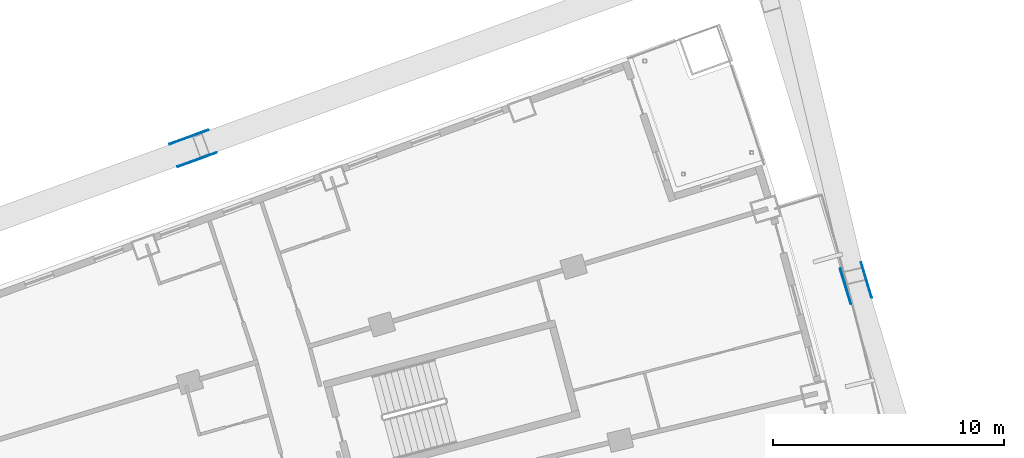
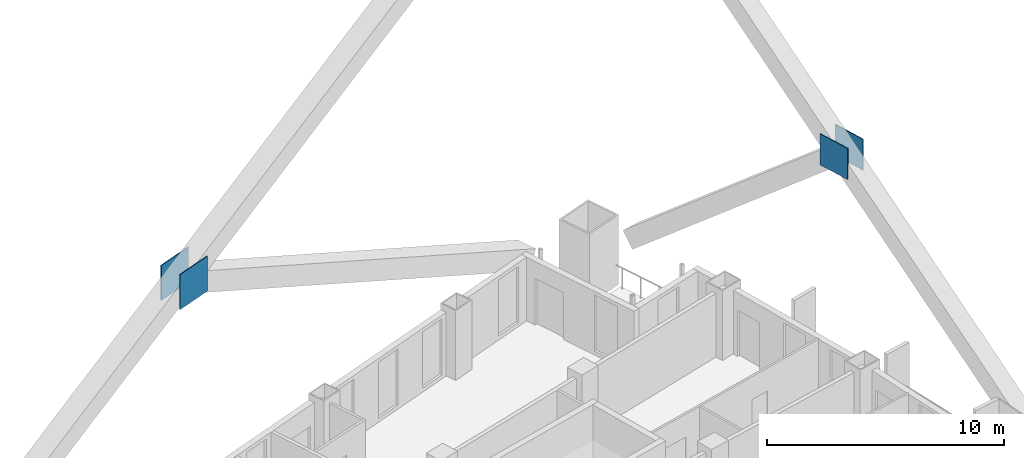
# One storey, part 23 of 26: 4 discrete accessories.
"""IFC4 building model written with IfcOpenShell, lengths in metres."""

from ifc_helpers import new_model, si_unit, direction, frame, origin, origin_2d, place, context, subcontext, project, spatial, rectangle, extrude, material, material_profile, profile_set, type_object, element, save


model = new_model("IFC4")

# Units and contexts
model_context = context("Model", 3, precision=1e-05, world=origin(), true_north=direction((0.0, 1.0)))
body_context = subcontext(model_context, "Body", "Model", "MODEL_VIEW")
ifc_project = project(units=[si_unit("LENGTHUNIT", "METRE"), si_unit("AREAUNIT", "SQUARE_METRE"), si_unit("VOLUMEUNIT", "CUBIC_METRE"), si_unit("PLANEANGLEUNIT", "RADIAN"), si_unit("MASSUNIT", "GRAM", prefix="KILO")], contexts=[model_context])

# Site, building, storey
site_placement = place(None, origin())
site = spatial("IfcSite", under=ifc_project, at=site_placement, CompositionType="ELEMENT")
building_placement = place(site_placement, origin())
building = spatial("IfcBuilding", under=site, at=building_placement, Name="Alderwake Tower", CompositionType="ELEMENT")
storey_placement = place(building_placement, frame((0.0, 0.0, 82.39990234375)))
storey = spatial("IfcBuildingStorey", under=building, at=storey_placement, Name="L19", CompositionType="ELEMENT", Elevation=82.39990234375)

# Discrete accessories
ifc_material_1 = material(Name="Steel ASTM A572 Grade 50", Category="steel")
ifc_material_profile_1 = material_profile(ifc_material_1, rectangle(XDim=1.60009765625, YDim=1.60009765625, at=origin_2d()), Name="gusset 1600X1600")
ifc_profile_set_1 = profile_set([ifc_material_profile_1], Name="Steel ASTM A572 Grade 50")
discrete_accessory_type_1 = type_object("IfcDiscreteAccessoryType", Name="Gusset plate 1600X1600X40", PredefinedType="USERDEFINED", material=ifc_profile_set_1)
for number, where, z_axis, x_axis, name in (
    (1, (60.153076171875, 98.710205078125, 10.800048828125), (0.95799406309, 0.286788031626, 0.0), (-0.286788031626, 0.95799406309, 0.0), "Gusset plate BRF2.1.10B outer"),
    (2, (59.291748046875, 98.449462890625, 10.800048828125), (-0.956304273979, -0.292373281217, 0.0), (0.292373281217, -0.956304273979, 0.0), "Gusset plate BRF2.1.10B inner"),
):
    element("IfcDiscreteAccessory", number, at=place(storey_placement, frame(where, z_axis=z_axis, x_axis=x_axis)), inside=storey, type_object=discrete_accessory_type_1, Name=name, ObjectType="GUSSET PLATE", PredefinedType="USERDEFINED", context=body_context, shape_type="SweptSolid", body=[
        extrude(rectangle(XDim=1.60009765625, YDim=1.60009765625, at=origin_2d()), origin(), (0.0, 0.0, 1.0), 0.0400390625),
    ])
ifc_material_2 = material(Name="Steel ASTM A572 Grade 50", Category="steel")
ifc_material_profile_2 = material_profile(ifc_material_2, rectangle(XDim=1.800048828125, YDim=1.800048828125, at=origin_2d()), Name="gusset 1800X1800")
ifc_profile_set_2 = profile_set([ifc_material_profile_2], Name="Steel ASTM A572 Grade 50")
discrete_accessory_type_2 = type_object("IfcDiscreteAccessoryType", Name="Gusset plate 1800X1800X40", PredefinedType="USERDEFINED", material=ifc_profile_set_2)
for number, where, z_axis, x_axis, name in (
    (3, (30.8759765625, 104.87939453125, 10.800048828125), (-0.341743063087, 0.939793423488, 0.0), (-0.939793423488, -0.341743063087, 0.0), "Gusset plate BRN2.1.0B outer"),
    (4, (31.21875, 103.93994140625, 10.800048828125), (0.341743063087, -0.939793423488, 0.0), (0.939793423488, 0.341743063087, 0.0), "Gusset plate BRN2.1.0B inner"),
):
    element("IfcDiscreteAccessory", number, at=place(storey_placement, frame(where, z_axis=z_axis, x_axis=x_axis)), inside=storey, type_object=discrete_accessory_type_2, Name=name, ObjectType="GUSSET PLATE", PredefinedType="USERDEFINED", context=body_context, shape_type="SweptSolid", body=[
        extrude(rectangle(XDim=1.800048828125, YDim=1.800048828125, at=origin_2d()), origin(), (0.0, 0.0, 1.0), 0.0400390625),
    ])

save(model, "model.ifc")
